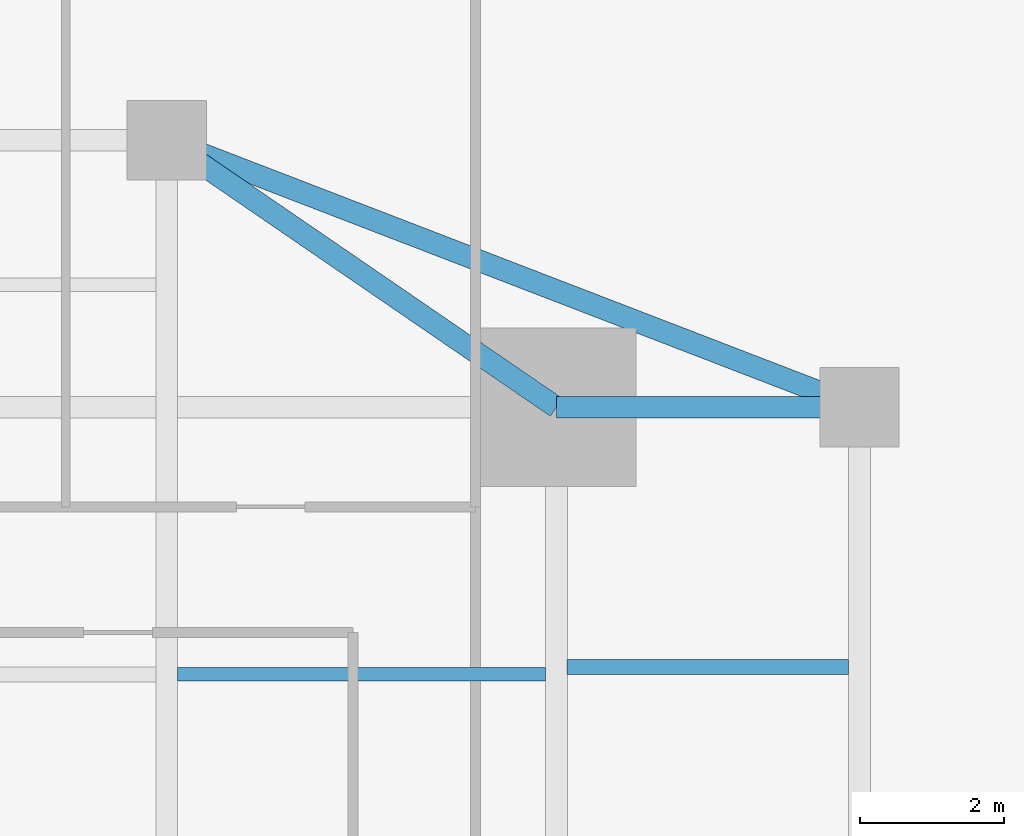
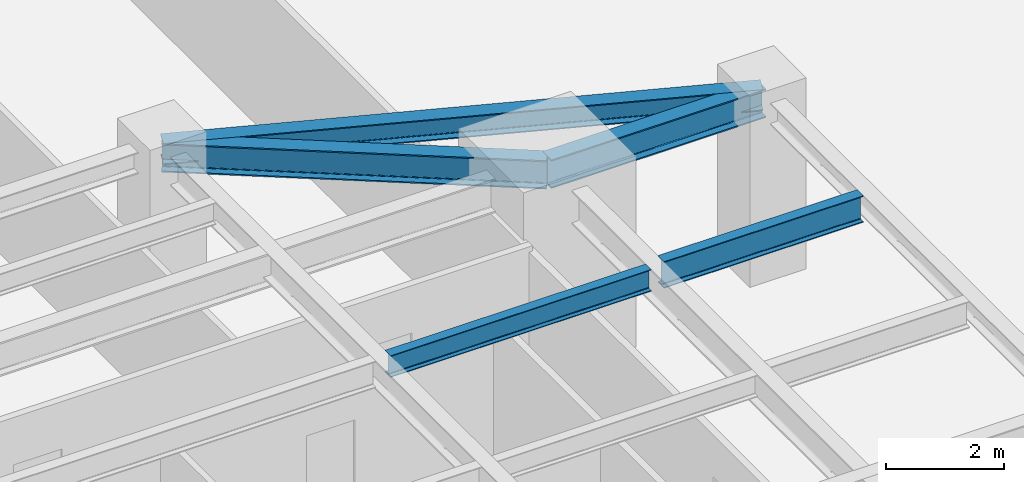
# One storey, part 21 of 28: 5 beams.
"""IFC4 building model written with IfcOpenShell, lengths in metres."""

from ifc_helpers import new_model, si_unit, direction, frame, origin, origin_2d, place, context, subcontext, project, spatial, i_section, extrude, source, transform, mapped, material, material_profile, profile_set, type_object, type_shapes, element, save


model = new_model("IFC4")

# Units and contexts
model_context = context("Model", 3, precision=1e-05, world=origin(), true_north=direction((0.0, 1.0)))
body_context = subcontext(model_context, "Body", "Model", "MODEL_VIEW")
ifc_project = project(units=[si_unit("LENGTHUNIT", "METRE"), si_unit("AREAUNIT", "SQUARE_METRE"), si_unit("VOLUMEUNIT", "CUBIC_METRE"), si_unit("PLANEANGLEUNIT", "RADIAN"), si_unit("MASSUNIT", "GRAM", prefix="KILO")], contexts=[model_context])

# Site, building, storey
site_placement = place(None, origin())
site = spatial("IfcSite", under=ifc_project, at=site_placement, CompositionType="ELEMENT")
building_placement = place(site_placement, origin())
building = spatial("IfcBuilding", under=site, at=building_placement, Name="Krantzveldt Concourse Tower", CompositionType="ELEMENT")
storey_placement = place(building_placement, frame((0.0, 0.0, 32.89990234375)))
storey = spatial("IfcBuildingStorey", under=building, at=storey_placement, Name="L07", CompositionType="ELEMENT", Elevation=32.89990234375)

# Beams
ifc_material = material(Name="Steel S355JR", Category="steel")
ifc_material_profile_1 = material_profile(ifc_material, i_section(OverallWidth=0.300048828125, OverallDepth=0.43994140625, WebThickness=0.011474609375, FlangeThickness=0.02099609375, FilletRadius=0.027099609375, at=origin_2d()), Name="Steel S355JR", Category="steel")
ifc_profile_set_1 = profile_set([ifc_material_profile_1], Name="Steel S355JR - HEA 450")
beam_type_1 = type_object("IfcBeamType", Name="BM-SP-HEA450", PredefinedType="SPANDREL", material=ifc_profile_set_1)
shared_shape_1 = source(origin(), body_context, "Body", "SweptSolid", [
    extrude(i_section(OverallWidth=0.300048828125, OverallDepth=0.43994140625, WebThickness=0.011474609375, FlangeThickness=0.02099609375, FilletRadius=0.027099609375, at=origin_2d()), origin(), (0.0, 0.0, 1.0), 10.288330078125),
])
type_shapes(beam_type_1, [shared_shape_1])
beam_1_placement = place(storey_placement, frame((41.39990234375, 41.199951171875, 3.4501953125), z_axis=(0.933097690408, -0.359622997257, 0.0), x_axis=(0.359622997257, 0.933097690408, 0.0)))
element("IfcBeam", 1, at=beam_1_placement, inside=storey, type_object=beam_type_1, Name="L07 Tower Girder SP-R05", PredefinedType="SPANDREL", context=body_context, shape_type="MappedRepresentation", body=[
    mapped(shared_shape_1, transform((0.0, 0.0, 0.0), x_axis=(1.0, 0.0, 0.0), y_axis=(0.0, 1.0, 0.0), z_axis=(0.0, 0.0, 1.0), scale=1.0)),
])
ifc_material_profile_2 = material_profile(ifc_material, i_section(OverallWidth=0.300048828125, OverallDepth=0.590087890625, WebThickness=0.012939453125, FlangeThickness=0.02490234375, FilletRadius=0.027099609375, at=origin_2d()), Name="Steel S355JR", Category="steel")
ifc_profile_set_2 = profile_set([ifc_material_profile_2], Name="Steel S355JR - HEA 600")
beam_type_2 = type_object("IfcBeamType", Name="BM-B-HEA600", PredefinedType="BEAM", material=ifc_profile_set_2)
shared_shape_2 = source(origin(), body_context, "Body", "SweptSolid", [
    extrude(i_section(OverallWidth=0.300048828125, OverallDepth=0.590087890625, WebThickness=0.012939453125, FlangeThickness=0.02490234375, FilletRadius=0.027099609375, at=origin_2d()), origin(), (0.0, 0.0, 1.0), 4.199951171875),
])
beam_2_placement = place(storey_placement, frame((46.800048828125, 37.5, 3.375), z_axis=(1.0, 0.0, 0.0), x_axis=(0.0, 1.0, 0.0)))
element("IfcBeam", 2, at=beam_2_placement, inside=storey, type_object=beam_type_2, Name="L07 Tower Girder BR-RR3", PredefinedType="BEAM", context=body_context, shape_type="MappedRepresentation", body=[
    mapped(shared_shape_2, transform((0.0, 0.0, 0.0), x_axis=(1.0, 0.0, 0.0), y_axis=(0.0, 1.0, 0.0), z_axis=(0.0, 0.0, 1.0), scale=1.0)),
])
shared_shape_3 = source(origin(), body_context, "Body", "SweptSolid", [
    extrude(i_section(OverallWidth=0.300048828125, OverallDepth=0.590087890625, WebThickness=0.012939453125, FlangeThickness=0.02490234375, FilletRadius=0.027099609375, at=origin_2d()), origin(), (0.0, 0.0, 1.0), 6.546142578125),
])
type_shapes(beam_type_2, [shared_shape_2, shared_shape_3])
beam_3_placement = place(storey_placement, frame((46.800048828125, 37.5, 3.375), z_axis=(-0.824942999484, 0.565215930068, 0.0), x_axis=(-0.565215930068, -0.824942999484, 0.0)))
element("IfcBeam", 3, at=beam_3_placement, inside=storey, type_object=beam_type_2, Name="L07 Tower Girder BR-RR4", PredefinedType="BEAM", context=body_context, shape_type="MappedRepresentation", body=[
    mapped(shared_shape_3, transform((0.0, 0.0, 0.0), x_axis=(1.0, 0.0, 0.0), y_axis=(0.0, 1.0, 0.0), z_axis=(0.0, 0.0, 1.0), scale=1.0)),
])
ifc_material_profile_3 = material_profile(ifc_material, i_section(OverallWidth=0.18994140625, OverallDepth=0.449951171875, WebThickness=0.009521484375, FlangeThickness=0.0146484375, FilletRadius=0.02099609375, at=origin_2d()), Name="Steel S355JR", Category="steel")
ifc_profile_set_3 = profile_set([ifc_material_profile_3], Name="Steel S355JR - IPE 450")
beam_type_3 = type_object("IfcBeamType", Name="BM-J-IPE450", PredefinedType="JOIST", material=ifc_profile_set_3)
shared_shape_4 = source(origin(), body_context, "Body", "SweptSolid", [
    extrude(i_section(OverallWidth=0.18994140625, OverallDepth=0.449951171875, WebThickness=0.009521484375, FlangeThickness=0.0146484375, FilletRadius=0.02099609375, at=origin_2d()), origin(), (0.0, 0.0, 1.0), 5.099853515625),
])
type_shapes(beam_type_3, [shared_shape_4])
beam_4_placement = place(storey_placement, frame((41.550048828125, 33.800048828125, 3.445068359375), z_axis=(1.0, 0.0, 0.0), x_axis=(0.0, 1.0, 0.0)))
element("IfcBeam", 4, at=beam_4_placement, inside=storey, type_object=beam_type_3, Name="L07 Secondary Floor Joist JN-E2", PredefinedType="JOIST", context=body_context, shape_type="MappedRepresentation", body=[
    mapped(shared_shape_4, transform((0.0, 0.0, 0.0), x_axis=(1.0, 0.0, 0.0), y_axis=(0.0, 1.0, 0.0), z_axis=(0.0, 0.0, 1.0), scale=1.0)),
])
ifc_material_profile_4 = material_profile(ifc_material, i_section(OverallWidth=0.2099609375, OverallDepth=0.550048828125, WebThickness=0.010986328125, FlangeThickness=0.01708984375, FilletRadius=0.02392578125, at=origin_2d()), Name="Steel S355JR", Category="steel")
ifc_profile_set_4 = profile_set([ifc_material_profile_4], Name="Steel S355JR - IPE 550")
beam_type_4 = type_object("IfcBeamType", Name="BM-J-IPE550", PredefinedType="JOIST", material=ifc_profile_set_4)
shared_shape_5 = source(origin(), body_context, "Body", "SweptSolid", [
    extrude(i_section(OverallWidth=0.2099609375, OverallDepth=0.550048828125, WebThickness=0.010986328125, FlangeThickness=0.01708984375, FilletRadius=0.02392578125, at=origin_2d()), origin(), (0.0, 0.0, 1.0), 3.900146484375),
])
type_shapes(beam_type_4, [shared_shape_5])
beam_5_placement = place(storey_placement, frame((46.949951171875, 33.89990234375, 3.39501953125), z_axis=(1.0, 0.0, 0.0), x_axis=(0.0, 1.0, 0.0)))
element("IfcBeam", 5, at=beam_5_placement, inside=storey, type_object=beam_type_4, Name="L07 Secondary Floor Joist JE-4", PredefinedType="JOIST", context=body_context, shape_type="MappedRepresentation", body=[
    mapped(shared_shape_5, transform((0.0, 0.0, 0.0), x_axis=(1.0, 0.0, 0.0), y_axis=(0.0, 1.0, 0.0), z_axis=(0.0, 0.0, 1.0), scale=1.0)),
])

save(model, "model.ifc")
